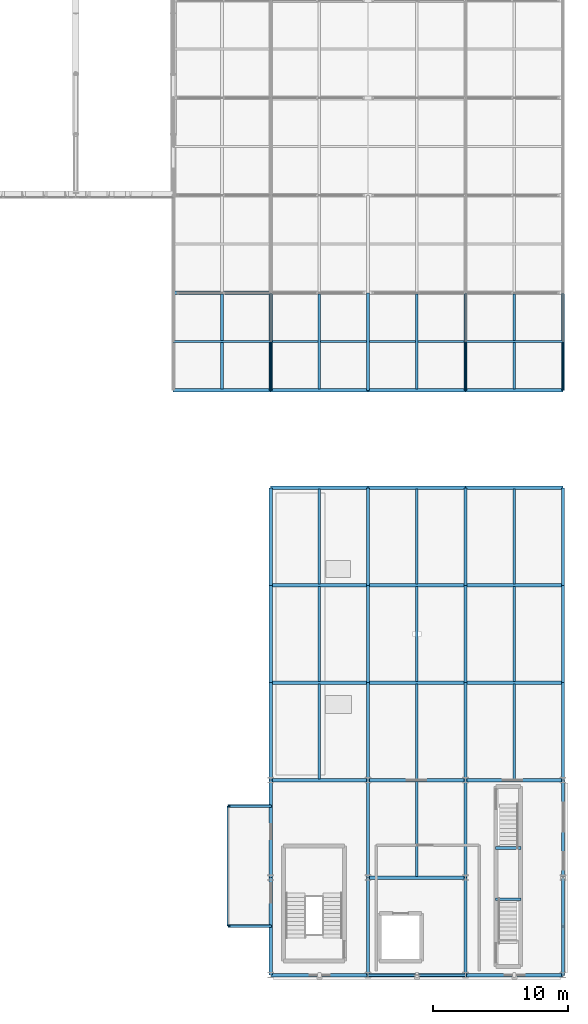
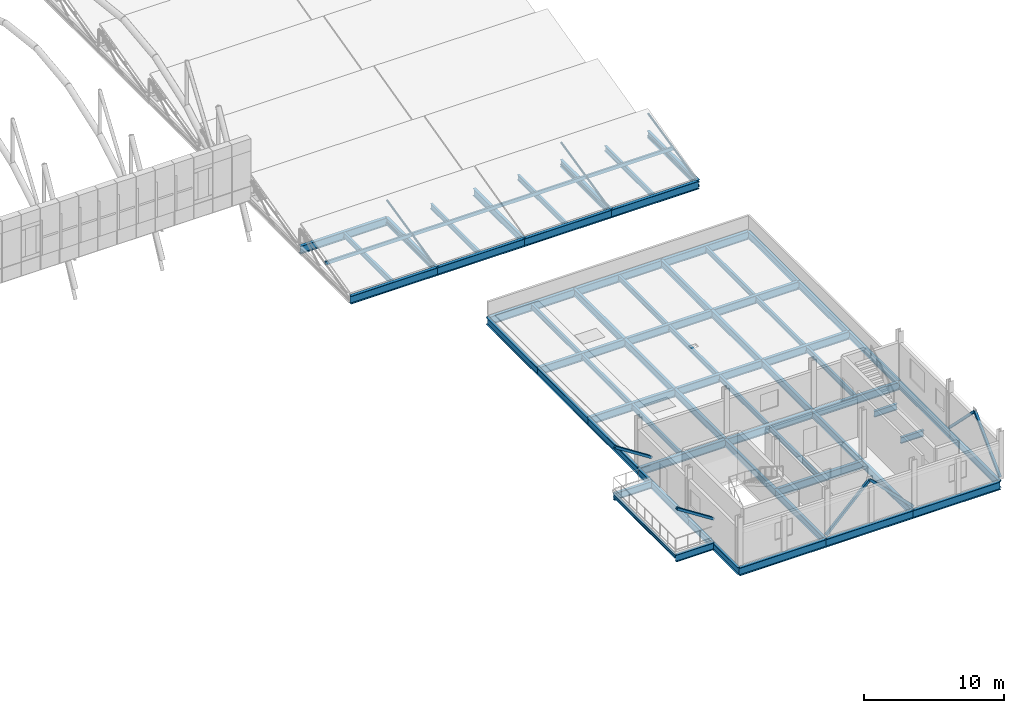
# One storey, part 52 of 144: 64 beams, 15 members.
"""IFC4 building model written with IfcOpenShell, lengths in metres."""

from ifc_helpers import new_model, si_unit, direction, frame, origin, origin_2d, place, context, subcontext, project, spatial, hollow_rectangle, hollow_circle, i_section, extrude, material, material_profile, profile_set, type_object, element, save


model = new_model("IFC4")

# Units and contexts
model_context = context("Model", 3, precision=1e-05, world=origin(), true_north=direction((0.0, 1.0)))
body_context = subcontext(model_context, "Body", "Model", "MODEL_VIEW")
ifc_project = project(units=[si_unit("LENGTHUNIT", "METRE"), si_unit("AREAUNIT", "SQUARE_METRE"), si_unit("VOLUMEUNIT", "CUBIC_METRE"), si_unit("PLANEANGLEUNIT", "RADIAN"), si_unit("MASSUNIT", "GRAM", prefix="KILO")], contexts=[model_context])

# Site, building, storey
site_placement = place(None, origin())
site = spatial("IfcSite", under=ifc_project, at=site_placement, CompositionType="ELEMENT")
building_placement = place(site_placement, origin())
building = spatial("IfcBuilding", under=site, at=building_placement, Name="Yarey Park Central Fire Station", CompositionType="ELEMENT")
storey_placement = place(building_placement, frame((0.0, 0.0, 10.199951171875)))
storey = spatial("IfcBuildingStorey", under=building, at=storey_placement, Name="L03", CompositionType="ELEMENT", Elevation=10.199951171875)

# Beams
ifc_material_1 = material(Name="Steel ASTM A992 Gr. 50", Category="steel")
ifc_material_profile_1 = material_profile(ifc_material_1, i_section(OverallWidth=0.208984375, OverallDepth=0.532958984375, WebThickness=0.01025390625, FlangeThickness=0.015625, at=origin_2d()), Name="W530x92")
ifc_profile_set_1 = profile_set([ifc_material_profile_1], Name="Steel ASTM A992 Gr. 50")
beam_type_1 = type_object("IfcBeamType", Name="STR_BM_W530", PredefinedType="BEAM", material=ifc_profile_set_1)
for number, where, z_axis, x_axis, name in (
    (1, (160.60009765625, 5.60009765625, 1.6484375), (1.0, 0.0, 0.0), (0.0, 1.0, 0.0), "BM_LND_C6_L03_S"),
    (2, (160.60009765625, 9.39990234375, 1.6484375), (1.0, 0.0, 0.0), (0.0, 1.0, 0.0), "BM_LND_C6_L03_N"),
):
    element("IfcBeam", number, at=place(storey_placement, frame(where, z_axis=z_axis, x_axis=x_axis)), inside=storey, type_object=beam_type_1, Name=name, PredefinedType="BEAM", context=body_context, shape_type="SweptSolid", body=[
        extrude(i_section(OverallWidth=0.208984375, OverallDepth=0.532958984375, WebThickness=0.01025390625, FlangeThickness=0.015625, at=origin_2d()), origin(), (0.0, 0.0, 1.0), 1.89990234375),
    ])
ifc_material_profile_2 = material_profile(ifc_material_1, i_section(OverallWidth=0.22900390625, OverallDepth=0.612060546875, WebThickness=0.011962890625, FlangeThickness=0.01953125, at=origin_2d()), Name="W610x125")
ifc_profile_set_2 = profile_set([ifc_material_profile_2], Name="Steel ASTM A992 Gr. 50")
beam_type_2 = type_object("IfcBeamType", Name="STR_BM_W610", PredefinedType="BEAM", material=ifc_profile_set_2)
for number, where, z_axis, x_axis, name in (
    (3, (144.0, 0.0, -0.56591796875), (0.0, 1.0, 0.0), (-1.0, 0.0, 0.0), "BMY L03 X1440 Y0"),
    (4, (144.0, 7.199951171875, -0.56591796875), (0.0, 1.0, 0.0), (-1.0, 0.0, 0.0), "BMY L03 X1440 Y72"),
):
    element("IfcBeam", number, at=place(storey_placement, frame(where, z_axis=z_axis, x_axis=x_axis)), inside=storey, type_object=beam_type_2, Name=name, PredefinedType="BEAM", context=body_context, shape_type="SweptSolid", body=[
        extrude(i_section(OverallWidth=0.22900390625, OverallDepth=0.612060546875, WebThickness=0.011962890625, FlangeThickness=0.01953125, at=origin_2d()), origin(), (0.0, 0.0, 1.0), 7.199951171875),
    ])
beam_1_placement = place(storey_placement, frame((144.0, 14.39990234375, -0.515869140625), z_axis=(0.0, 1.0, 0.0), x_axis=(-1.0, 0.0, 0.0)))
element("IfcBeam", 5, at=beam_1_placement, inside=storey, type_object=beam_type_2, Name="BMY L03 X1440 Y144", PredefinedType="BEAM", context=body_context, shape_type="SweptSolid", body=[
    extrude(i_section(OverallWidth=0.22900390625, OverallDepth=0.612060546875, WebThickness=0.011962890625, FlangeThickness=0.01953125, at=origin_2d()), origin(), (0.0, 0.0, 1.0), 7.2001953125),
])
for number, where, z_axis, x_axis, name in (
    (6, (144.0, 21.60009765625, -0.515869140625), (0.0, 1.0, 0.0), (-1.0, 0.0, 0.0), "BMY L03 X1440 Y216"),
    (7, (144.0, 28.800048828125, -0.515869140625), (0.0, 1.0, 0.0), (-1.0, 0.0, 0.0), "BMY L03 X1440 Y288"),
    (8, (144.0, 43.199951171875, -0.48583984375), (0.0, 1.0, 0.0), (-1.0, 0.0, 0.0), "BMY L03 X1440 Y432"),
    (9, (151.199951171875, 0.0, -0.56591796875), (0.0, 1.0, 0.0), (-1.0, 0.0, 0.0), "BMY L03 X1512 Y0"),
    (10, (151.199951171875, 7.199951171875, -0.56591796875), (0.0, 1.0, 0.0), (-1.0, 0.0, 0.0), "BMY L03 X1512 Y72"),
):
    element("IfcBeam", number, at=place(storey_placement, frame(where, z_axis=z_axis, x_axis=x_axis)), inside=storey, type_object=beam_type_2, Name=name, PredefinedType="BEAM", context=body_context, shape_type="SweptSolid", body=[
        extrude(i_section(OverallWidth=0.22900390625, OverallDepth=0.612060546875, WebThickness=0.011962890625, FlangeThickness=0.01953125, at=origin_2d()), origin(), (0.0, 0.0, 1.0), 7.199951171875),
    ])
beam_2_placement = place(storey_placement, frame((151.199951171875, 14.39990234375, -0.515869140625), z_axis=(0.0, 1.0, 0.0), x_axis=(-1.0, 0.0, 0.0)))
element("IfcBeam", 11, at=beam_2_placement, inside=storey, type_object=beam_type_2, Name="BMY L03 X1512 Y144", PredefinedType="BEAM", context=body_context, shape_type="SweptSolid", body=[
    extrude(i_section(OverallWidth=0.22900390625, OverallDepth=0.612060546875, WebThickness=0.011962890625, FlangeThickness=0.01953125, at=origin_2d()), origin(), (0.0, 0.0, 1.0), 7.2001953125),
])
for number, where, z_axis, x_axis, name in (
    (12, (151.199951171875, 21.60009765625, -0.515869140625), (0.0, 1.0, 0.0), (-1.0, 0.0, 0.0), "BMY L03 X1512 Y216"),
    (13, (151.199951171875, 28.800048828125, -0.515869140625), (0.0, 1.0, 0.0), (-1.0, 0.0, 0.0), "BMY L03 X1512 Y288"),
    (14, (151.199951171875, 43.199951171875, -0.48583984375), (0.0, 1.0, 0.0), (-1.0, 0.0, 0.0), "BMY L03 X1512 Y432"),
    (15, (158.39990234375, 0.0, -0.56591796875), (0.0, 1.0, 0.0), (-1.0, 0.0, 0.0), "BMY L03 X1584 Y0"),
    (16, (158.39990234375, 7.199951171875, -0.56591796875), (0.0, 1.0, 0.0), (-1.0, 0.0, 0.0), "BMY L03 X1584 Y72"),
):
    element("IfcBeam", number, at=place(storey_placement, frame(where, z_axis=z_axis, x_axis=x_axis)), inside=storey, type_object=beam_type_2, Name=name, PredefinedType="BEAM", context=body_context, shape_type="SweptSolid", body=[
        extrude(i_section(OverallWidth=0.22900390625, OverallDepth=0.612060546875, WebThickness=0.011962890625, FlangeThickness=0.01953125, at=origin_2d()), origin(), (0.0, 0.0, 1.0), 7.199951171875),
    ])
beam_3_placement = place(storey_placement, frame((158.39990234375, 14.39990234375, -0.515869140625), z_axis=(0.0, 1.0, 0.0), x_axis=(-1.0, 0.0, 0.0)))
element("IfcBeam", 17, at=beam_3_placement, inside=storey, type_object=beam_type_2, Name="BMY L03 X1584 Y144", PredefinedType="BEAM", context=body_context, shape_type="SweptSolid", body=[
    extrude(i_section(OverallWidth=0.22900390625, OverallDepth=0.612060546875, WebThickness=0.011962890625, FlangeThickness=0.01953125, at=origin_2d()), origin(), (0.0, 0.0, 1.0), 7.2001953125),
])
for number, where, z_axis, x_axis, name in (
    (18, (158.39990234375, 21.60009765625, -0.515869140625), (0.0, 1.0, 0.0), (-1.0, 0.0, 0.0), "BMY L03 X1584 Y216"),
    (19, (158.39990234375, 28.800048828125, -0.515869140625), (0.0, 1.0, 0.0), (-1.0, 0.0, 0.0), "BMY L03 X1584 Y288"),
    (20, (158.39990234375, 43.199951171875, -0.48583984375), (0.0, 1.0, 0.0), (-1.0, 0.0, 0.0), "BMY L03 X1584 Y432"),
    (21, (165.60009765625, 0.0, -0.56591796875), (0.0, 1.0, 0.0), (-1.0, 0.0, 0.0), "BMY L03 X1656 Y0"),
    (22, (165.60009765625, 7.199951171875, -0.56591796875), (0.0, 1.0, 0.0), (-1.0, 0.0, 0.0), "BMY L03 X1656 Y72"),
):
    element("IfcBeam", number, at=place(storey_placement, frame(where, z_axis=z_axis, x_axis=x_axis)), inside=storey, type_object=beam_type_2, Name=name, PredefinedType="BEAM", context=body_context, shape_type="SweptSolid", body=[
        extrude(i_section(OverallWidth=0.22900390625, OverallDepth=0.612060546875, WebThickness=0.011962890625, FlangeThickness=0.01953125, at=origin_2d()), origin(), (0.0, 0.0, 1.0), 7.199951171875),
    ])
beam_4_placement = place(storey_placement, frame((165.60009765625, 14.39990234375, -0.515869140625), z_axis=(0.0, 1.0, 0.0), x_axis=(-1.0, 0.0, 0.0)))
element("IfcBeam", 23, at=beam_4_placement, inside=storey, type_object=beam_type_2, Name="BMY L03 X1656 Y144", PredefinedType="BEAM", context=body_context, shape_type="SweptSolid", body=[
    extrude(i_section(OverallWidth=0.22900390625, OverallDepth=0.612060546875, WebThickness=0.011962890625, FlangeThickness=0.01953125, at=origin_2d()), origin(), (0.0, 0.0, 1.0), 7.2001953125),
])
for number, where, z_axis, x_axis, name in (
    (24, (165.60009765625, 21.60009765625, -0.515869140625), (0.0, 1.0, 0.0), (-1.0, 0.0, 0.0), "BMY L03 X1656 Y216"),
    (25, (165.60009765625, 28.800048828125, -0.515869140625), (0.0, 1.0, 0.0), (-1.0, 0.0, 0.0), "BMY L03 X1656 Y288"),
    (26, (165.60009765625, 43.199951171875, -0.48583984375), (0.0, 1.0, 0.0), (-1.0, 0.0, 0.0), "BMY L03 X1656 Y432"),
):
    element("IfcBeam", number, at=place(storey_placement, frame(where, z_axis=z_axis, x_axis=x_axis)), inside=storey, type_object=beam_type_2, Name=name, PredefinedType="BEAM", context=body_context, shape_type="SweptSolid", body=[
        extrude(i_section(OverallWidth=0.22900390625, OverallDepth=0.612060546875, WebThickness=0.011962890625, FlangeThickness=0.01953125, at=origin_2d()), origin(), (0.0, 0.0, 1.0), 7.199951171875),
    ])
ifc_material_profile_3 = material_profile(ifc_material_1, i_section(OverallWidth=0.22900390625, OverallDepth=0.612060546875, WebThickness=0.011962890625, FlangeThickness=0.01953125, at=origin_2d()), Name="W610x125")
ifc_profile_set_3 = profile_set([ifc_material_profile_3], Name="Steel ASTM A992 Gr. 50")
beam_type_3 = type_object("IfcBeamType", Name="STR_BM_W610E", PredefinedType="BEAM", material=ifc_profile_set_3)
for number, where, z_axis, x_axis, name in (
    (27, (140.85009765625, 3.6201171875, -0.541015625), (1.0, 0.0, 0.0), (0.0, 1.0, 0.0), "BALC OUT L03 Y36"),
    (28, (140.85009765625, 12.47998046875, -0.541015625), (1.0, 0.0, 0.0), (0.0, 1.0, 0.0), "BALC OUT L03 Y124"),
):
    element("IfcBeam", number, at=place(storey_placement, frame(where, z_axis=z_axis, x_axis=x_axis)), inside=storey, type_object=beam_type_3, Name=name, PredefinedType="BEAM", context=body_context, shape_type="SweptSolid", body=[
        extrude(i_section(OverallWidth=0.22900390625, OverallDepth=0.612060546875, WebThickness=0.011962890625, FlangeThickness=0.01953125, at=origin_2d()), origin(), (0.0, 0.0, 1.0), 3.14990234375),
    ])
ifc_material_profile_4 = material_profile(ifc_material_1, i_section(OverallWidth=0.256103515625, OverallDepth=0.693115234375, WebThickness=0.014404296875, FlangeThickness=0.023681640625, at=origin_2d()), Name="W690x170")
ifc_profile_set_4 = profile_set([ifc_material_profile_4], Name="Steel ASTM A992 Gr. 50")
beam_type_4 = type_object("IfcBeamType", Name="STR_BM_W690", PredefinedType="BEAM", material=ifc_profile_set_4)
for number, where, z_axis, x_axis, name in (
    (29, (144.0, 0.0, -0.6064453125), (1.0, 0.0, 0.0), (0.0, 1.0, 0.0), "BMX L03 Y0 X1440"),
    (30, (151.199951171875, 0.0, -0.6064453125), (1.0, 0.0, 0.0), (0.0, 1.0, 0.0), "BMX L03 Y0 X1512"),
):
    element("IfcBeam", number, at=place(storey_placement, frame(where, z_axis=z_axis, x_axis=x_axis)), inside=storey, type_object=beam_type_4, Name=name, PredefinedType="BEAM", context=body_context, shape_type="SweptSolid", body=[
        extrude(i_section(OverallWidth=0.256103515625, OverallDepth=0.693115234375, WebThickness=0.014404296875, FlangeThickness=0.023681640625, at=origin_2d()), origin(), (0.0, 0.0, 1.0), 7.199951171875),
    ])
beam_5_placement = place(storey_placement, frame((158.39990234375, 0.0, -0.6064453125), z_axis=(1.0, 0.0, 0.0), x_axis=(0.0, 1.0, 0.0)))
element("IfcBeam", 31, at=beam_5_placement, inside=storey, type_object=beam_type_4, Name="BMX L03 Y0 X1584", PredefinedType="BEAM", context=body_context, shape_type="SweptSolid", body=[
    extrude(i_section(OverallWidth=0.256103515625, OverallDepth=0.693115234375, WebThickness=0.014404296875, FlangeThickness=0.023681640625, at=origin_2d()), origin(), (0.0, 0.0, 1.0), 7.2001953125),
])
for number, where, z_axis, x_axis, name in (
    (32, (151.199951171875, 7.199951171875, -0.6064453125), (1.0, 0.0, 0.0), (0.0, 1.0, 0.0), "BMX L03 Y72 X1512"),
    (33, (144.0, 14.39990234375, -0.6064453125), (1.0, 0.0, 0.0), (0.0, 1.0, 0.0), "BMX L03 Y144 X1440"),
    (34, (151.199951171875, 14.39990234375, -0.6064453125), (1.0, 0.0, 0.0), (0.0, 1.0, 0.0), "BMX L03 Y144 X1512"),
):
    element("IfcBeam", number, at=place(storey_placement, frame(where, z_axis=z_axis, x_axis=x_axis)), inside=storey, type_object=beam_type_4, Name=name, PredefinedType="BEAM", context=body_context, shape_type="SweptSolid", body=[
        extrude(i_section(OverallWidth=0.256103515625, OverallDepth=0.693115234375, WebThickness=0.014404296875, FlangeThickness=0.023681640625, at=origin_2d()), origin(), (0.0, 0.0, 1.0), 7.199951171875),
    ])
beam_6_placement = place(storey_placement, frame((158.39990234375, 14.39990234375, -0.6064453125), z_axis=(1.0, 0.0, 0.0), x_axis=(0.0, 1.0, 0.0)))
element("IfcBeam", 35, at=beam_6_placement, inside=storey, type_object=beam_type_4, Name="BMX L03 Y144 X1584", PredefinedType="BEAM", context=body_context, shape_type="SweptSolid", body=[
    extrude(i_section(OverallWidth=0.256103515625, OverallDepth=0.693115234375, WebThickness=0.014404296875, FlangeThickness=0.023681640625, at=origin_2d()), origin(), (0.0, 0.0, 1.0), 7.2001953125),
])
for number, where, z_axis, x_axis, name in (
    (36, (144.0, 21.60009765625, -0.556396484375), (1.0, 0.0, 0.0), (0.0, 1.0, 0.0), "BMX L03 Y216 X1440"),
    (37, (151.199951171875, 21.60009765625, -0.556396484375), (1.0, 0.0, 0.0), (0.0, 1.0, 0.0), "BMX L03 Y216 X1512"),
):
    element("IfcBeam", number, at=place(storey_placement, frame(where, z_axis=z_axis, x_axis=x_axis)), inside=storey, type_object=beam_type_4, Name=name, PredefinedType="BEAM", context=body_context, shape_type="SweptSolid", body=[
        extrude(i_section(OverallWidth=0.256103515625, OverallDepth=0.693115234375, WebThickness=0.014404296875, FlangeThickness=0.023681640625, at=origin_2d()), origin(), (0.0, 0.0, 1.0), 7.199951171875),
    ])
beam_7_placement = place(storey_placement, frame((158.39990234375, 21.60009765625, -0.556396484375), z_axis=(1.0, 0.0, 0.0), x_axis=(0.0, 1.0, 0.0)))
element("IfcBeam", 38, at=beam_7_placement, inside=storey, type_object=beam_type_4, Name="BMX L03 Y216 X1584", PredefinedType="BEAM", context=body_context, shape_type="SweptSolid", body=[
    extrude(i_section(OverallWidth=0.256103515625, OverallDepth=0.693115234375, WebThickness=0.014404296875, FlangeThickness=0.023681640625, at=origin_2d()), origin(), (0.0, 0.0, 1.0), 7.2001953125),
])
for number, where, z_axis, x_axis, name in (
    (39, (144.0, 28.800048828125, -0.556396484375), (1.0, 0.0, 0.0), (0.0, 1.0, 0.0), "BMX L03 Y288 X1440"),
    (40, (151.199951171875, 28.800048828125, -0.556396484375), (1.0, 0.0, 0.0), (0.0, 1.0, 0.0), "BMX L03 Y288 X1512"),
):
    element("IfcBeam", number, at=place(storey_placement, frame(where, z_axis=z_axis, x_axis=x_axis)), inside=storey, type_object=beam_type_4, Name=name, PredefinedType="BEAM", context=body_context, shape_type="SweptSolid", body=[
        extrude(i_section(OverallWidth=0.256103515625, OverallDepth=0.693115234375, WebThickness=0.014404296875, FlangeThickness=0.023681640625, at=origin_2d()), origin(), (0.0, 0.0, 1.0), 7.199951171875),
    ])
beam_8_placement = place(storey_placement, frame((158.39990234375, 28.800048828125, -0.556396484375), z_axis=(1.0, 0.0, 0.0), x_axis=(0.0, 1.0, 0.0)))
element("IfcBeam", 41, at=beam_8_placement, inside=storey, type_object=beam_type_4, Name="BMX L03 Y288 X1584", PredefinedType="BEAM", context=body_context, shape_type="SweptSolid", body=[
    extrude(i_section(OverallWidth=0.256103515625, OverallDepth=0.693115234375, WebThickness=0.014404296875, FlangeThickness=0.023681640625, at=origin_2d()), origin(), (0.0, 0.0, 1.0), 7.2001953125),
])
for number, where, z_axis, x_axis, name in (
    (42, (144.0, 36.0, -0.556396484375), (1.0, 0.0, 0.0), (0.0, 1.0, 0.0), "BMX L03 Y360 X1440"),
    (43, (151.199951171875, 36.0, -0.556396484375), (1.0, 0.0, 0.0), (0.0, 1.0, 0.0), "BMX L03 Y360 X1512"),
):
    element("IfcBeam", number, at=place(storey_placement, frame(where, z_axis=z_axis, x_axis=x_axis)), inside=storey, type_object=beam_type_4, Name=name, PredefinedType="BEAM", context=body_context, shape_type="SweptSolid", body=[
        extrude(i_section(OverallWidth=0.256103515625, OverallDepth=0.693115234375, WebThickness=0.014404296875, FlangeThickness=0.023681640625, at=origin_2d()), origin(), (0.0, 0.0, 1.0), 7.199951171875),
    ])
beam_9_placement = place(storey_placement, frame((158.39990234375, 36.0, -0.556396484375), z_axis=(1.0, 0.0, 0.0), x_axis=(0.0, 1.0, 0.0)))
element("IfcBeam", 44, at=beam_9_placement, inside=storey, type_object=beam_type_4, Name="BMX L03 Y360 X1584", PredefinedType="BEAM", context=body_context, shape_type="SweptSolid", body=[
    extrude(i_section(OverallWidth=0.256103515625, OverallDepth=0.693115234375, WebThickness=0.014404296875, FlangeThickness=0.023681640625, at=origin_2d()), origin(), (0.0, 0.0, 1.0), 7.2001953125),
])
for number, where, z_axis, x_axis, name in (
    (45, (136.800048828125, 43.199951171875, -0.5263671875), (1.0, 0.0, 0.0), (0.0, 1.0, 0.0), "BMX L03 Y432 X1368"),
    (46, (144.0, 43.199951171875, -0.5263671875), (1.0, 0.0, 0.0), (0.0, 1.0, 0.0), "BMX L03 Y432 X1440"),
    (47, (151.199951171875, 43.199951171875, -0.5263671875), (1.0, 0.0, 0.0), (0.0, 1.0, 0.0), "BMX L03 Y432 X1512"),
):
    element("IfcBeam", number, at=place(storey_placement, frame(where, z_axis=z_axis, x_axis=x_axis)), inside=storey, type_object=beam_type_4, Name=name, PredefinedType="BEAM", context=body_context, shape_type="SweptSolid", body=[
        extrude(i_section(OverallWidth=0.256103515625, OverallDepth=0.693115234375, WebThickness=0.014404296875, FlangeThickness=0.023681640625, at=origin_2d()), origin(), (0.0, 0.0, 1.0), 7.199951171875),
    ])
beam_10_placement = place(storey_placement, frame((158.39990234375, 43.199951171875, -0.5263671875), z_axis=(1.0, 0.0, 0.0), x_axis=(0.0, 1.0, 0.0)))
element("IfcBeam", 48, at=beam_10_placement, inside=storey, type_object=beam_type_4, Name="BMX L03 Y432 X1584", PredefinedType="BEAM", context=body_context, shape_type="SweptSolid", body=[
    extrude(i_section(OverallWidth=0.256103515625, OverallDepth=0.693115234375, WebThickness=0.014404296875, FlangeThickness=0.023681640625, at=origin_2d()), origin(), (0.0, 0.0, 1.0), 7.2001953125),
])
beam_11_placement = place(storey_placement, frame((136.800048828125, 50.39990234375, -0.5263671875), z_axis=(1.0, 0.0, 0.0), x_axis=(0.0, 1.0, 0.0)))
element("IfcBeam", 49, at=beam_11_placement, inside=storey, type_object=beam_type_4, Name="BMX L03 Y504 X1368", PredefinedType="BEAM", context=body_context, shape_type="SweptSolid", body=[
    extrude(i_section(OverallWidth=0.256103515625, OverallDepth=0.693115234375, WebThickness=0.014404296875, FlangeThickness=0.023681640625, at=origin_2d()), origin(), (0.0, 0.0, 1.0), 7.199951171875),
])

# Members
ifc_material_2 = material(Name="Steel ASTM A500 Gr. C", Category="steel")
ifc_material_profile_5 = material_profile(ifc_material_2, hollow_rectangle(XDim=0.199951171875, YDim=0.199951171875, WallThickness=0.010009765625, at=origin_2d()), Name="HSS 200x200x10")
ifc_profile_set_5 = profile_set([ifc_material_profile_5], Name="Steel ASTM A500 Gr. C")
member_type_1 = type_object("IfcMemberType", Name="STR_CBF_HSS200", PredefinedType="BRACE", material=ifc_profile_set_5)
for number, where, z_axis, x_axis, name in (
    (50, (144.0, 3.6201171875, 1.800048828125), (-0.840633669175, 0.0, 0.541604130568), (0.0, -1.0, 0.0), "BALC_KNEE_L04_Y36"),
    (51, (144.0, 12.47998046875, 1.800048828125), (-0.840633669175, 0.0, 0.541604130568), (0.0, -1.0, 0.0), "BALC_KNEE_L04_Y124"),
):
    element("IfcMember", number, at=place(storey_placement, frame(where, z_axis=z_axis, x_axis=x_axis)), inside=storey, type_object=member_type_1, Name=name, PredefinedType="BRACE", context=body_context, shape_type="SweptSolid", body=[
        extrude(hollow_rectangle(XDim=0.199951171875, YDim=0.199951171875, WallThickness=0.010009765625, at=origin_2d()), origin(), (0.0, 0.0, 1.0), 3.628173828125),
    ])
member_1_placement = place(storey_placement, frame((165.60009765625, 0.0, 0.050048828125), z_axis=(0.0, 0.707106781187, 0.707106781187), x_axis=(-1.0, 0.0, 0.0)))
element("IfcMember", 52, at=member_1_placement, inside=storey, type_object=member_type_1, Name="CBF_DT_E1_L03", PredefinedType="BRACE", context=body_context, shape_type="SweptSolid", body=[
    extrude(hollow_rectangle(XDim=0.199951171875, YDim=0.199951171875, WallThickness=0.010009765625, at=origin_2d()), origin(), (0.0, 0.0, 1.0), 5.09130859375),
])
member_2_placement = place(storey_placement, frame((165.60009765625, 7.199951171875, 0.050048828125), z_axis=(0.0, -0.707082803744, 0.707130757816), x_axis=(1.0, 0.0, 0.0)))
element("IfcMember", 53, at=member_2_placement, inside=storey, type_object=member_type_1, Name="CBF_DT_E2_L03", PredefinedType="BRACE", context=body_context, shape_type="SweptSolid", body=[
    extrude(hollow_rectangle(XDim=0.199951171875, YDim=0.199951171875, WallThickness=0.010009765625, at=origin_2d()), origin(), (0.0, 0.0, 1.0), 5.091064453125),
])
member_3_placement = place(storey_placement, frame((151.199951171875, 0.0, 0.050048828125), z_axis=(0.707106781187, 0.0, 0.707106781187), x_axis=(0.0, 1.0, 0.0)))
element("IfcMember", 54, at=member_3_placement, inside=storey, type_object=member_type_1, Name="CBF_DT_S1_L03", PredefinedType="BRACE", context=body_context, shape_type="SweptSolid", body=[
    extrude(hollow_rectangle(XDim=0.199951171875, YDim=0.199951171875, WallThickness=0.010009765625, at=origin_2d()), origin(), (0.0, 0.0, 1.0), 5.09130859375),
])
member_4_placement = place(storey_placement, frame((158.39990234375, 0.0, 0.050048828125), z_axis=(-0.707082803744, 0.0, 0.707130757816), x_axis=(0.0, -1.0, 0.0)))
element("IfcMember", 55, at=member_4_placement, inside=storey, type_object=member_type_1, Name="CBF_DT_S2_L03", PredefinedType="BRACE", context=body_context, shape_type="SweptSolid", body=[
    extrude(hollow_rectangle(XDim=0.199951171875, YDim=0.199951171875, WallThickness=0.010009765625, at=origin_2d()), origin(), (0.0, 0.0, 1.0), 5.091064453125),
])
ifc_material_profile_6 = material_profile(ifc_material_2, hollow_circle(Radius=0.084228515625, WallThickness=0.008056640625, at=origin_2d()), Name="CHS 168.3x8")
ifc_profile_set_6 = profile_set([ifc_material_profile_6], Name="Steel ASTM A500 Gr. C")
member_type_2 = type_object("IfcMemberType", Name="STR_CHORD_CHS168", PredefinedType="CHORD", material=ifc_profile_set_6)
member_5_placement = place(storey_placement, frame((144.0, 43.199951171875, -0.64990234375), z_axis=(0.0, 1.0, 0.0), x_axis=(-1.0, 0.0, 0.0)))
element("IfcMember", 56, at=member_5_placement, inside=storey, type_object=member_type_2, Name="SAW_T2_B1_BC", PredefinedType="CHORD", context=body_context, shape_type="SweptSolid", body=[
    extrude(hollow_circle(Radius=0.084228515625, WallThickness=0.008056640625, at=origin_2d()), origin(), (0.0, 0.0, 1.0), 7.199951171875),
])
member_6_placement = place(storey_placement, frame((144.0, 43.199951171875, -0.349853515625), z_axis=(0.0, 0.975464150349, 0.220158332533), x_axis=(-1.0, 0.0, 0.0)))
element("IfcMember", 57, at=member_6_placement, inside=storey, type_object=member_type_2, Name="SAW_T2_B1_TC", PredefinedType="CHORD", context=body_context, shape_type="SweptSolid", body=[
    extrude(hollow_circle(Radius=0.084228515625, WallThickness=0.008056640625, at=origin_2d()), origin(), (0.0, 0.0, 1.0), 7.381103515625),
])
member_7_placement = place(storey_placement, frame((158.39990234375, 43.199951171875, -0.64990234375), z_axis=(0.0, 1.0, 0.0), x_axis=(-1.0, 0.0, 0.0)))
element("IfcMember", 58, at=member_7_placement, inside=storey, type_object=member_type_2, Name="SAW_T3_B1_BC", PredefinedType="CHORD", context=body_context, shape_type="SweptSolid", body=[
    extrude(hollow_circle(Radius=0.084228515625, WallThickness=0.008056640625, at=origin_2d()), origin(), (0.0, 0.0, 1.0), 7.199951171875),
])
member_8_placement = place(storey_placement, frame((158.39990234375, 43.199951171875, -0.349853515625), z_axis=(0.0, 0.975464150349, 0.220158332533), x_axis=(-1.0, 0.0, 0.0)))
element("IfcMember", 59, at=member_8_placement, inside=storey, type_object=member_type_2, Name="SAW_T3_B1_TC", PredefinedType="CHORD", context=body_context, shape_type="SweptSolid", body=[
    extrude(hollow_circle(Radius=0.084228515625, WallThickness=0.008056640625, at=origin_2d()), origin(), (0.0, 0.0, 1.0), 7.381103515625),
])
member_9_placement = place(storey_placement, frame((165.60009765625, 43.199951171875, -0.64990234375), z_axis=(0.0, 1.0, 0.0), x_axis=(-1.0, 0.0, 0.0)))
element("IfcMember", 60, at=member_9_placement, inside=storey, type_object=member_type_2, Name="SAW_T4_B1_BC", PredefinedType="CHORD", context=body_context, shape_type="SweptSolid", body=[
    extrude(hollow_circle(Radius=0.084228515625, WallThickness=0.008056640625, at=origin_2d()), origin(), (0.0, 0.0, 1.0), 7.199951171875),
])
member_10_placement = place(storey_placement, frame((165.60009765625, 43.199951171875, -0.349853515625), z_axis=(0.0, 0.975464150349, 0.220158332533), x_axis=(-1.0, 0.0, 0.0)))
element("IfcMember", 61, at=member_10_placement, inside=storey, type_object=member_type_2, Name="SAW_T4_B1_TC", PredefinedType="CHORD", context=body_context, shape_type="SweptSolid", body=[
    extrude(hollow_circle(Radius=0.084228515625, WallThickness=0.008056640625, at=origin_2d()), origin(), (0.0, 0.0, 1.0), 7.381103515625),
])

# Beams
ifc_material_profile_7 = material_profile(ifc_material_1, i_section(OverallWidth=0.18994140625, OverallDepth=0.45703125, WebThickness=0.009033203125, FlangeThickness=0.014404296875, at=origin_2d()), Name="W460x74")
ifc_profile_set_7 = profile_set([ifc_material_profile_7], Name="Steel ASTM A992 Gr. 50")
beam_type_5 = type_object("IfcBeamType", Name="STR_JST_W460", PredefinedType="JOIST", material=ifc_profile_set_7)
beam_12_placement = place(storey_placement, frame((140.39990234375, 43.294921875, -0.408447265625), z_axis=(0.0, 1.0, 0.0), x_axis=(-1.0, 0.0, 0.0)))
element("IfcBeam", 62, at=beam_12_placement, inside=storey, type_object=beam_type_5, Name="JST L03 X1404 Y432", PredefinedType="JOIST", context=body_context, shape_type="SweptSolid", body=[
    extrude(i_section(OverallWidth=0.18994140625, OverallDepth=0.45703125, WebThickness=0.009033203125, FlangeThickness=0.014404296875, at=origin_2d()), origin(), (0.0, 0.0, 1.0), 7.010009765625),
])
beam_13_placement = place(storey_placement, frame((147.60009765625, 14.4951171875, -0.4384765625), z_axis=(0.0, 1.0, 0.0), x_axis=(-1.0, 0.0, 0.0)))
element("IfcBeam", 63, at=beam_13_placement, inside=storey, type_object=beam_type_5, Name="JST L03 X1476 Y144", PredefinedType="JOIST", context=body_context, shape_type="SweptSolid", body=[
    extrude(i_section(OverallWidth=0.18994140625, OverallDepth=0.45703125, WebThickness=0.009033203125, FlangeThickness=0.014404296875, at=origin_2d()), origin(), (0.0, 0.0, 1.0), 7.009765625),
])
for number, where, z_axis, x_axis, name in (
    (64, (147.60009765625, 21.695068359375, -0.4384765625), (0.0, 1.0, 0.0), (-1.0, 0.0, 0.0), "JST L03 X1476 Y216"),
    (65, (147.60009765625, 28.89501953125, -0.4384765625), (0.0, 1.0, 0.0), (-1.0, 0.0, 0.0), "JST L03 X1476 Y288"),
    (66, (147.60009765625, 43.294921875, -0.408447265625), (0.0, 1.0, 0.0), (-1.0, 0.0, 0.0), "JST L03 X1476 Y432"),
    (67, (154.800048828125, 7.294921875, -0.488525390625), (0.0, 1.0, 0.0), (-1.0, 0.0, 0.0), "JST L03 X1548 Y72"),
):
    element("IfcBeam", number, at=place(storey_placement, frame(where, z_axis=z_axis, x_axis=x_axis)), inside=storey, type_object=beam_type_5, Name=name, PredefinedType="JOIST", context=body_context, shape_type="SweptSolid", body=[
        extrude(i_section(OverallWidth=0.18994140625, OverallDepth=0.45703125, WebThickness=0.009033203125, FlangeThickness=0.014404296875, at=origin_2d()), origin(), (0.0, 0.0, 1.0), 7.010009765625),
    ])
beam_14_placement = place(storey_placement, frame((154.800048828125, 14.4951171875, -0.4384765625), z_axis=(0.0, 1.0, 0.0), x_axis=(-1.0, 0.0, 0.0)))
element("IfcBeam", 68, at=beam_14_placement, inside=storey, type_object=beam_type_5, Name="JST L03 X1548 Y144", PredefinedType="JOIST", context=body_context, shape_type="SweptSolid", body=[
    extrude(i_section(OverallWidth=0.18994140625, OverallDepth=0.45703125, WebThickness=0.009033203125, FlangeThickness=0.014404296875, at=origin_2d()), origin(), (0.0, 0.0, 1.0), 7.009765625),
])
for number, where, z_axis, x_axis, name in (
    (69, (154.800048828125, 21.695068359375, -0.4384765625), (0.0, 1.0, 0.0), (-1.0, 0.0, 0.0), "JST L03 X1548 Y216"),
    (70, (154.800048828125, 28.89501953125, -0.4384765625), (0.0, 1.0, 0.0), (-1.0, 0.0, 0.0), "JST L03 X1548 Y288"),
    (71, (154.800048828125, 43.294921875, -0.408447265625), (0.0, 1.0, 0.0), (-1.0, 0.0, 0.0), "JST L03 X1548 Y432"),
):
    element("IfcBeam", number, at=place(storey_placement, frame(where, z_axis=z_axis, x_axis=x_axis)), inside=storey, type_object=beam_type_5, Name=name, PredefinedType="JOIST", context=body_context, shape_type="SweptSolid", body=[
        extrude(i_section(OverallWidth=0.18994140625, OverallDepth=0.45703125, WebThickness=0.009033203125, FlangeThickness=0.014404296875, at=origin_2d()), origin(), (0.0, 0.0, 1.0), 7.010009765625),
    ])
beam_15_placement = place(storey_placement, frame((162.0, 14.4951171875, -0.4384765625), z_axis=(0.0, 1.0, 0.0), x_axis=(-1.0, 0.0, 0.0)))
element("IfcBeam", 72, at=beam_15_placement, inside=storey, type_object=beam_type_5, Name="JST L03 X1620 Y144", PredefinedType="JOIST", context=body_context, shape_type="SweptSolid", body=[
    extrude(i_section(OverallWidth=0.18994140625, OverallDepth=0.45703125, WebThickness=0.009033203125, FlangeThickness=0.014404296875, at=origin_2d()), origin(), (0.0, 0.0, 1.0), 7.009765625),
])
for number, where, z_axis, x_axis, name in (
    (73, (162.0, 21.695068359375, -0.4384765625), (0.0, 1.0, 0.0), (-1.0, 0.0, 0.0), "JST L03 X1620 Y216"),
    (74, (162.0, 28.89501953125, -0.4384765625), (0.0, 1.0, 0.0), (-1.0, 0.0, 0.0), "JST L03 X1620 Y288"),
    (75, (162.0, 43.294921875, -0.408447265625), (0.0, 1.0, 0.0), (-1.0, 0.0, 0.0), "JST L03 X1620 Y432"),
):
    element("IfcBeam", number, at=place(storey_placement, frame(where, z_axis=z_axis, x_axis=x_axis)), inside=storey, type_object=beam_type_5, Name=name, PredefinedType="JOIST", context=body_context, shape_type="SweptSolid", body=[
        extrude(i_section(OverallWidth=0.18994140625, OverallDepth=0.45703125, WebThickness=0.009033203125, FlangeThickness=0.014404296875, at=origin_2d()), origin(), (0.0, 0.0, 1.0), 7.010009765625),
    ])

# Members
ifc_material_profile_8 = material_profile(ifc_material_2, hollow_rectangle(XDim=0.14990234375, YDim=0.300048828125, WallThickness=0.010009765625, at=origin_2d()), Name="HSS 300x150x10")
ifc_profile_set_8 = profile_set([ifc_material_profile_8], Name="Steel ASTM A500 Gr. C")
member_type_3 = type_object("IfcMemberType", Name="STR_PUR_HSS300", PredefinedType="PURLIN", material=ifc_profile_set_8)
member_11_placement = place(storey_placement, frame((136.800048828125, 46.800048828125, 0.462646484375), z_axis=(1.0, 0.0, 0.0), x_axis=(0.0, 1.0, 0.0)))
element("IfcMember", 76, at=member_11_placement, inside=storey, type_object=member_type_3, Name="SAW_PUR_1_B1", PredefinedType="PURLIN", context=body_context, shape_type="SweptSolid", body=[
    extrude(hollow_rectangle(XDim=0.14990234375, YDim=0.300048828125, WallThickness=0.010009765625, at=origin_2d()), origin(), (0.0, 0.0, 1.0), 7.199951171875),
])
member_12_placement = place(storey_placement, frame((144.0, 46.800048828125, 0.462646484375), z_axis=(1.0, 0.0, 0.0), x_axis=(0.0, 1.0, 0.0)))
element("IfcMember", 77, at=member_12_placement, inside=storey, type_object=member_type_3, Name="SAW_PUR_2_B1", PredefinedType="PURLIN", context=body_context, shape_type="SweptSolid", body=[
    extrude(hollow_rectangle(XDim=0.14990234375, YDim=0.300048828125, WallThickness=0.010009765625, at=origin_2d()), origin(), (0.0, 0.0, 1.0), 14.39990234375),
])
member_13_placement = place(storey_placement, frame((158.39990234375, 46.800048828125, 0.462646484375), z_axis=(1.0, 0.0, 0.0), x_axis=(0.0, 1.0, 0.0)))
element("IfcMember", 78, at=member_13_placement, inside=storey, type_object=member_type_3, Name="SAW_PUR_3_B1", PredefinedType="PURLIN", context=body_context, shape_type="SweptSolid", body=[
    extrude(hollow_rectangle(XDim=0.14990234375, YDim=0.300048828125, WallThickness=0.010009765625, at=origin_2d()), origin(), (0.0, 0.0, 1.0), 7.2001953125),
])

# Beam
ifc_material_profile_9 = material_profile(ifc_material_1, i_section(OverallWidth=0.1650390625, OverallDepth=0.31005859375, WebThickness=0.005859375, FlangeThickness=0.009765625, at=origin_2d()), Name="W310x39")
ifc_profile_set_9 = profile_set([ifc_material_profile_9], Name="Steel ASTM A992 Gr. 50")
beam_type_6 = type_object("IfcBeamType", Name="STR_SPN_W310", PredefinedType="SPANDREL", material=ifc_profile_set_9)
beam_16_placement = place(storey_placement, frame((140.85009765625, 3.6201171875, -0.389892578125), z_axis=(0.0, 1.0, 0.0), x_axis=(-1.0, 0.0, 0.0)))
element("IfcBeam", 79, at=beam_16_placement, inside=storey, type_object=beam_type_6, Name="BALC EDG L03", PredefinedType="SPANDREL", context=body_context, shape_type="SweptSolid", body=[
    extrude(i_section(OverallWidth=0.1650390625, OverallDepth=0.31005859375, WebThickness=0.005859375, FlangeThickness=0.009765625, at=origin_2d()), origin(), (0.0, 0.0, 1.0), 8.85986328125),
])

save(model, "model.ifc")
